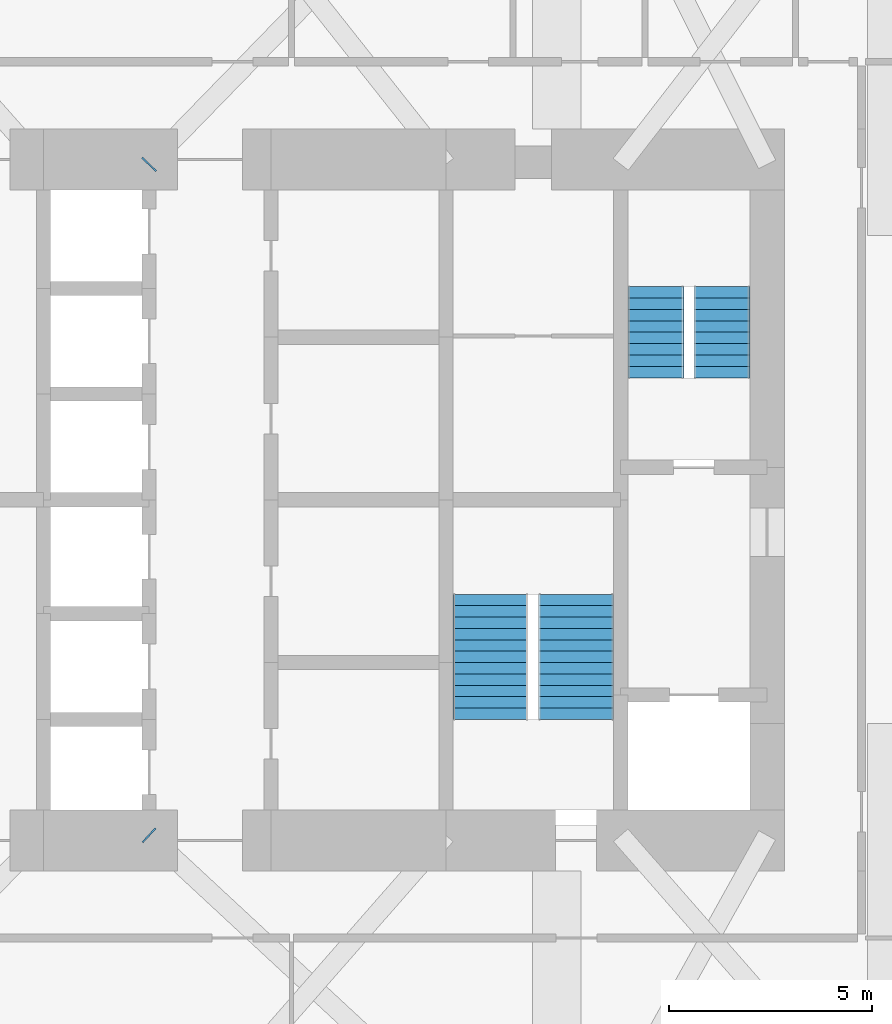
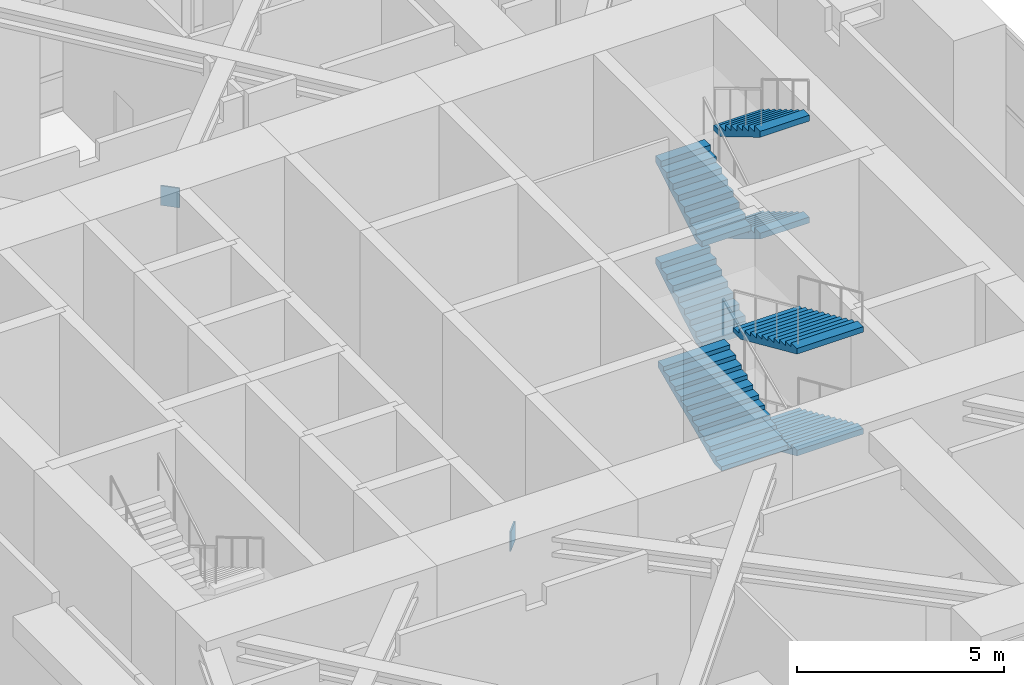
# One storey, part 17 of 18: 7 stair flights, 2 discrete accessories, 2 elements without a shape of their own.
"""IFC4 building model written with IfcOpenShell, lengths in metres."""

from ifc_helpers import new_model, si_unit, direction, frame, origin, origin_2d, place, context, subcontext, project, spatial, polyline, rectangle, outline, extrude, material, material_profile, profile_set, type_object, element, aggregate, save


model = new_model("IFC4")

# Units and contexts
model_context = context("Model", 3, precision=1e-05, world=origin(), true_north=direction((0.0, 1.0)))
body_context = subcontext(model_context, "Body", "Model", "MODEL_VIEW")
ifc_project = project(units=[si_unit("LENGTHUNIT", "METRE"), si_unit("AREAUNIT", "SQUARE_METRE"), si_unit("VOLUMEUNIT", "CUBIC_METRE"), si_unit("PLANEANGLEUNIT", "RADIAN"), si_unit("MASSUNIT", "GRAM", prefix="KILO")], contexts=[model_context])

# Site, building, storey
site_placement = place(None, origin())
site = spatial("IfcSite", under=ifc_project, at=site_placement, CompositionType="ELEMENT")
building_placement = place(site_placement, origin())
building = spatial("IfcBuilding", under=site, at=building_placement, Name="Jalousie Tower", CompositionType="ELEMENT")
storey_placement = place(building_placement, frame((0.0, 0.0, 138.35009765625)))
storey = spatial("IfcBuildingStorey", under=building, at=storey_placement, Name="L38", CompositionType="ELEMENT", Elevation=138.35009765625)

# Stair, stair flights
ifc_material_1 = material(Name="Concrete f'c 40 MPa", Category="concrete")
stair_type = type_object("IfcStairType", Name="EXIT STAIR", PredefinedType="HALF_TURN_STAIR", material=ifc_material_1)
stair_1_placement = place(storey_placement, origin())
stair_1 = element("IfcStair", 1, at=stair_1_placement, inside=storey, type_object=stair_type, Name="Exit stair B L38", PredefinedType="HALF_TURN_STAIR")
ifc_material_2 = material(Name="Concrete f'c 40 MPa", Category="concrete")
stair_flight_type = type_object("IfcStairFlightType", Name="STAIR FLIGHT", PredefinedType="STRAIGHT", material=ifc_material_2)
stair_flight_1_placement = place(storey_placement, frame((41.0625, 21.50244140625, 0.0), z_axis=(0.0, 0.0, 1.0), x_axis=(0.0, 1.0, 0.0)))
stair_flight_1 = element("IfcStairFlight", 2, at=stair_flight_1_placement, type_object=stair_flight_type, Name="ST-B flight 1", NumberOfRisers=9, NumberOfTreads=8, PredefinedType="STRAIGHT", RiserHeight=0.166666667, TreadLength=0.28, context=body_context, shape_type="SweptSolid", body=[
    extrude(outline(polyline([(0.0, 0.0), (0.0, 0.166748046875), (0.280029296875, 0.166748046875), (0.280029296875, 0.333251953125), (0.56005859375, 0.333251953125), (0.56005859375, 0.5), (0.840087890625, 0.5), (0.840087890625, 0.666748046875), (1.1201171875, 0.666748046875), (1.1201171875, 0.833251953125), (1.39990234375, 0.833251953125), (1.39990234375, 1.0), (1.679931640625, 1.0), (1.679931640625, 1.166748046875), (1.9599609375, 1.166748046875), (1.9599609375, 1.333251953125), (2.239990234375, 1.333251953125), (2.239990234375, 1.5), (2.239990234375, 1.158935546875), (0.29296875, 0.0), (0.0, 0.0)])), frame((0.0, 0.6875, 0.0), z_axis=(0.0, -1.0, 0.0), x_axis=(1.0, 0.0, 0.0)), (0.0, 0.0, 1.0), 1.375),
])
stair_flight_2_placement = place(storey_placement, frame((42.6875, 23.742431640625, 1.5), z_axis=(0.0, 0.0, 1.0), x_axis=(0.0, -1.0, 0.0)))
stair_flight_2 = element("IfcStairFlight", 3, at=stair_flight_2_placement, type_object=stair_flight_type, Name="ST-B flight 2", NumberOfRisers=9, NumberOfTreads=8, PredefinedType="STRAIGHT", RiserHeight=0.166666667, TreadLength=0.28, context=body_context, shape_type="SweptSolid", body=[
    extrude(outline(polyline([(0.0, 0.0), (0.0, 0.166748046875), (0.280029296875, 0.166748046875), (0.280029296875, 0.333251953125), (0.56005859375, 0.333251953125), (0.56005859375, 0.5), (0.840087890625, 0.5), (0.840087890625, 0.666748046875), (1.1201171875, 0.666748046875), (1.1201171875, 0.833251953125), (1.39990234375, 0.833251953125), (1.39990234375, 1.0), (1.679931640625, 1.0), (1.679931640625, 1.166748046875), (1.9599609375, 1.166748046875), (1.9599609375, 1.333251953125), (2.239990234375, 1.333251953125), (2.239990234375, 1.5), (2.239990234375, 1.158935546875), (0.29296875, 0.0), (0.0, 0.0)])), frame((0.0, 0.6875, 0.0), z_axis=(0.0, -1.0, 0.0), x_axis=(1.0, 0.0, 0.0)), (0.0, 0.0, 1.0), 1.375),
])
stair_flight_3_placement = place(storey_placement, frame((41.0625, 21.50244140625, 3.0), z_axis=(0.0, 0.0, 1.0), x_axis=(0.0, 1.0, 0.0)))
stair_flight_3 = element("IfcStairFlight", 4, at=stair_flight_3_placement, type_object=stair_flight_type, Name="ST-B flight 3", NumberOfRisers=9, NumberOfTreads=8, PredefinedType="STRAIGHT", RiserHeight=0.166666667, TreadLength=0.28, context=body_context, shape_type="SweptSolid", body=[
    extrude(outline(polyline([(0.0, 0.0), (0.0, 0.166748046875), (0.280029296875, 0.166748046875), (0.280029296875, 0.333251953125), (0.56005859375, 0.333251953125), (0.56005859375, 0.5), (0.840087890625, 0.5), (0.840087890625, 0.666748046875), (1.1201171875, 0.666748046875), (1.1201171875, 0.833251953125), (1.39990234375, 0.833251953125), (1.39990234375, 1.0), (1.679931640625, 1.0), (1.679931640625, 1.166748046875), (1.9599609375, 1.166748046875), (1.9599609375, 1.333251953125), (2.239990234375, 1.333251953125), (2.239990234375, 1.5), (2.239990234375, 1.158935546875), (0.29296875, 0.0), (0.0, 0.0)])), frame((0.0, 0.6875, 0.0), z_axis=(0.0, -1.0, 0.0), x_axis=(1.0, 0.0, 0.0)), (0.0, 0.0, 1.0), 1.375),
])
stair_flight_4_placement = place(storey_placement, frame((42.6875, 23.742431640625, 4.5), z_axis=(0.0, 0.0, 1.0), x_axis=(0.0, -1.0, 0.0)))
stair_flight_4 = element("IfcStairFlight", 5, at=stair_flight_4_placement, type_object=stair_flight_type, Name="ST-B flight 4", NumberOfRisers=9, NumberOfTreads=8, PredefinedType="STRAIGHT", RiserHeight=0.166666667, TreadLength=0.28, context=body_context, shape_type="SweptSolid", body=[
    extrude(outline(polyline([(0.0, 0.0), (0.0, 0.166748046875), (0.280029296875, 0.166748046875), (0.280029296875, 0.333251953125), (0.56005859375, 0.333251953125), (0.56005859375, 0.5), (0.840087890625, 0.5), (0.840087890625, 0.666748046875), (1.1201171875, 0.666748046875), (1.1201171875, 0.833251953125), (1.39990234375, 0.833251953125), (1.39990234375, 1.0), (1.679931640625, 1.0), (1.679931640625, 1.166748046875), (1.9599609375, 1.166748046875), (1.9599609375, 1.333251953125), (2.239990234375, 1.333251953125), (2.239990234375, 1.5), (2.239990234375, 1.158935546875), (0.29296875, 0.0), (0.0, 0.0)])), frame((0.0, 0.6875, 0.0), z_axis=(0.0, -1.0, 0.0), x_axis=(1.0, 0.0, 0.0)), (0.0, 0.0, 1.0), 1.375),
])
aggregate(stair_1, [stair_flight_1, stair_flight_2, stair_flight_3, stair_flight_4])

stair_2_placement = place(storey_placement, origin())
stair_2 = element("IfcStair", 6, at=stair_2_placement, inside=storey, type_object=stair_type, Name="Exit stair C L38", PredefinedType="HALF_TURN_STAIR")
stair_flight_5_placement = place(storey_placement, frame((39.10009765625, 16.177490234375, 1.5), z_axis=(0.0, 0.0, 1.0), x_axis=(0.0, -1.0, 0.0)))
stair_flight_5 = element("IfcStairFlight", 7, at=stair_flight_5_placement, type_object=stair_flight_type, Name="ST-C flight 2", NumberOfRisers=12, NumberOfTreads=11, PredefinedType="STRAIGHT", RiserHeight=0.125, TreadLength=0.28, context=body_context, shape_type="SweptSolid", body=[
    extrude(outline(polyline([(0.0, 0.0), (0.0, 0.125), (0.280029296875, 0.125), (0.280029296875, 0.25), (0.56005859375, 0.25), (0.56005859375, 0.375), (0.840087890625, 0.375), (0.840087890625, 0.5), (1.1201171875, 0.5), (1.1201171875, 0.625), (1.39990234375, 0.625), (1.39990234375, 0.75), (1.679931640625, 0.75), (1.679931640625, 0.875), (1.9599609375, 0.875), (1.9599609375, 1.0), (2.239990234375, 1.0), (2.239990234375, 1.125), (2.52001953125, 1.125), (2.52001953125, 1.25), (2.800048828125, 1.25), (2.800048828125, 1.375), (3.080078125, 1.375), (3.080078125, 1.5), (3.080078125, 1.2109375), (0.36767578125, 0.0), (0.0, 0.0)])), frame((0.0, 0.925048828125, 0.0), z_axis=(0.0, -1.0, 0.0), x_axis=(1.0, 0.0, 0.0)), (0.0, 0.0, 1.0), 1.85009765625),
])
stair_flight_6_placement = place(storey_placement, frame((37.0, 13.097412109375, 3.0), z_axis=(0.0, 0.0, 1.0), x_axis=(0.0, 1.0, 0.0)))
stair_flight_6 = element("IfcStairFlight", 8, at=stair_flight_6_placement, type_object=stair_flight_type, Name="ST-C flight 3", NumberOfRisers=12, NumberOfTreads=11, PredefinedType="STRAIGHT", RiserHeight=0.125, TreadLength=0.28, context=body_context, shape_type="SweptSolid", body=[
    extrude(outline(polyline([(0.0, 0.0), (0.0, 0.125), (0.280029296875, 0.125), (0.280029296875, 0.25), (0.56005859375, 0.25), (0.56005859375, 0.375), (0.840087890625, 0.375), (0.840087890625, 0.5), (1.1201171875, 0.5), (1.1201171875, 0.625), (1.39990234375, 0.625), (1.39990234375, 0.75), (1.679931640625, 0.75), (1.679931640625, 0.875), (1.9599609375, 0.875), (1.9599609375, 1.0), (2.239990234375, 1.0), (2.239990234375, 1.125), (2.52001953125, 1.125), (2.52001953125, 1.25), (2.800048828125, 1.25), (2.800048828125, 1.375), (3.080078125, 1.375), (3.080078125, 1.5), (3.080078125, 1.2109375), (0.36767578125, 0.0), (0.0, 0.0)])), frame((0.0, 0.925048828125, 0.0), z_axis=(0.0, -1.0, 0.0), x_axis=(1.0, 0.0, 0.0)), (0.0, 0.0, 1.0), 1.85009765625),
])
stair_flight_7_placement = place(storey_placement, frame((39.10009765625, 16.177490234375, 4.5), z_axis=(0.0, 0.0, 1.0), x_axis=(0.0, -1.0, 0.0)))
stair_flight_7 = element("IfcStairFlight", 9, at=stair_flight_7_placement, type_object=stair_flight_type, Name="ST-C flight 4", NumberOfRisers=12, NumberOfTreads=11, PredefinedType="STRAIGHT", RiserHeight=0.125, TreadLength=0.28, context=body_context, shape_type="SweptSolid", body=[
    extrude(outline(polyline([(0.0, 0.0), (0.0, 0.125), (0.280029296875, 0.125), (0.280029296875, 0.25), (0.56005859375, 0.25), (0.56005859375, 0.375), (0.840087890625, 0.375), (0.840087890625, 0.5), (1.1201171875, 0.5), (1.1201171875, 0.625), (1.39990234375, 0.625), (1.39990234375, 0.75), (1.679931640625, 0.75), (1.679931640625, 0.875), (1.9599609375, 0.875), (1.9599609375, 1.0), (2.239990234375, 1.0), (2.239990234375, 1.125), (2.52001953125, 1.125), (2.52001953125, 1.25), (2.800048828125, 1.25), (2.800048828125, 1.375), (3.080078125, 1.375), (3.080078125, 1.5), (3.080078125, 1.2109375), (0.36767578125, 0.0), (0.0, 0.0)])), frame((0.0, 0.925048828125, 0.0), z_axis=(0.0, -1.0, 0.0), x_axis=(1.0, 0.0, 0.0)), (0.0, 0.0, 1.0), 1.85009765625),
])
aggregate(stair_2, [stair_flight_5, stair_flight_6, stair_flight_7])

# Discrete accessories
ifc_material_3 = material(Name="Steel ASTM A572 Grade 50 plate", Category="steel")
ifc_material_profile = material_profile(ifc_material_3, rectangle(XDim=0.472412109375, YDim=0.5791015625, at=origin_2d()), Name="BRACE END PLATE 472x579x40")
ifc_profile_set = profile_set([ifc_material_profile], Name="Steel ASTM A572 Grade 50 plate")
discrete_accessory_type = type_object("IfcDiscreteAccessoryType", Name="BRACE END PLATE 472x579x40", PredefinedType="USERDEFINED", material=ifc_profile_set)
discrete_accessory_1_placement = place(storey_placement, frame((28.61474609375, 10.236328125, 5.430419921875), z_axis=(-0.733872648231, 0.679287079355, 0.0), x_axis=(-0.679287079355, -0.733872648231, 0.0)))
element("IfcDiscreteAccessory", 10, at=discrete_accessory_1_placement, inside=storey, type_object=discrete_accessory_type, Name="Kink floor truss L39 04 diagonal end plate 2", ObjectType="STRUT END PLATE", PredefinedType="USERDEFINED", context=body_context, shape_type="SweptSolid", body=[
    extrude(rectangle(XDim=0.472412109375, YDim=0.5791015625, at=origin_2d()), origin(), (0.0, 0.0, 1.0), 0.040283203125),
])
discrete_accessory_2_placement = place(storey_placement, frame((28.614013671875, 26.764404296875, 5.430419921875), z_axis=(-0.694812020929, -0.719191390085, 0.0), x_axis=(0.719191390085, -0.694812020929, 0.0)))
element("IfcDiscreteAccessory", 11, at=discrete_accessory_2_placement, inside=storey, type_object=discrete_accessory_type, Name="Kink floor truss L39 09 diagonal end plate 2", ObjectType="STRUT END PLATE", PredefinedType="USERDEFINED", context=body_context, shape_type="SweptSolid", body=[
    extrude(rectangle(XDim=0.472412109375, YDim=0.5791015625, at=origin_2d()), origin(), (0.0, 0.0, 1.0), 0.0400390625),
])

save(model, "model.ifc")
